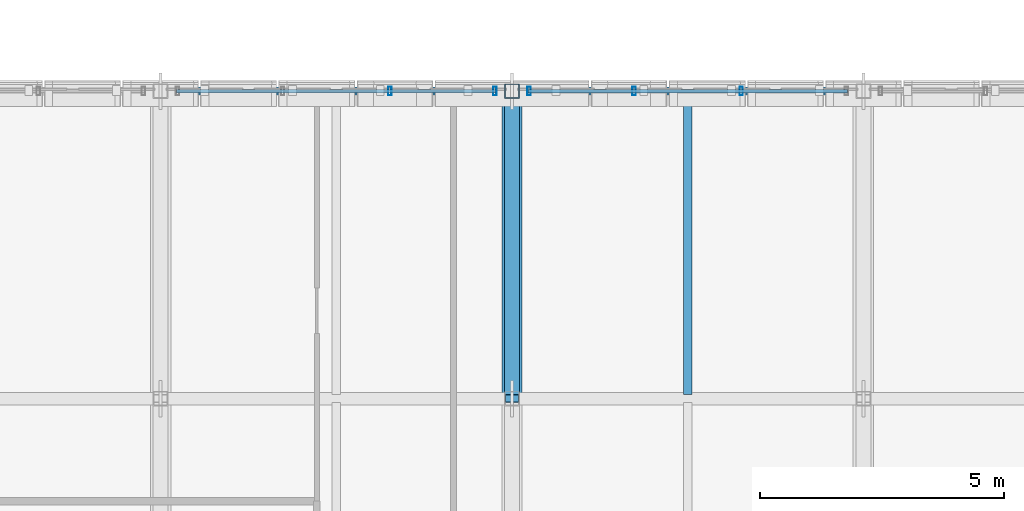
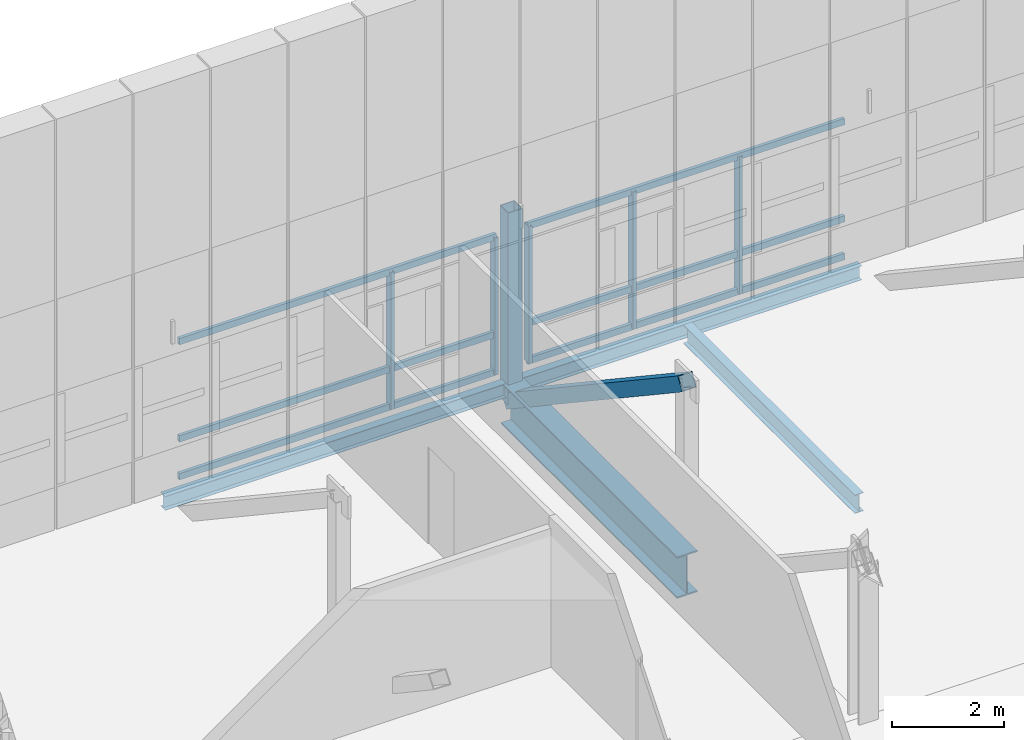
# One storey, part 33 of 144: 13 members, 4 beams, 2 elements without a shape of their own.
"""IFC4 building model written with IfcOpenShell, lengths in metres."""

from ifc_helpers import new_model, si_unit, direction, frame, origin, origin_2d, place, context, subcontext, project, spatial, hollow_rectangle, i_section, extrude, material, material_profile, profile_set, type_object, element, aggregate, save


model = new_model("IFC4")

# Units and contexts
model_context = context("Model", 3, precision=1e-05, world=origin(), true_north=direction((0.0, 1.0)))
body_context = subcontext(model_context, "Body", "Model", "MODEL_VIEW")
ifc_project = project(units=[si_unit("LENGTHUNIT", "METRE"), si_unit("AREAUNIT", "SQUARE_METRE"), si_unit("VOLUMEUNIT", "CUBIC_METRE"), si_unit("PLANEANGLEUNIT", "RADIAN"), si_unit("MASSUNIT", "GRAM", prefix="KILO")], contexts=[model_context])

# Site, building, storey
site_placement = place(None, origin())
site = spatial("IfcSite", under=ifc_project, at=site_placement, CompositionType="ELEMENT")
building_placement = place(site_placement, origin())
building = spatial("IfcBuilding", under=site, at=building_placement, Name="Yarey Park Central Fire Station", CompositionType="ELEMENT")
storey_placement = place(building_placement, frame((0.0, 0.0, 10.199951171875)))
storey = spatial("IfcBuildingStorey", under=building, at=storey_placement, Name="L03", CompositionType="ELEMENT", Elevation=10.199951171875)

# Curtain wall, members
ifc_material_1 = material(Name="Anodized Aluminium Frame", Category="aluminium")
curtain_wall_type = type_object("IfcCurtainWallType", Name="ENV_CW_V3_OVR1", PredefinedType="NOTDEFINED", material=ifc_material_1)
curtain_wall_1_placement = place(storey_placement, origin())
curtain_wall_1 = element("IfcCurtainWall", 1, at=curtain_wall_1_placement, inside=storey, type_object=curtain_wall_type, Name="CW_L03_V3_N_044", PredefinedType="NOTDEFINED")
ifc_material_profile_1 = material_profile(ifc_material_1, hollow_rectangle(XDim=0.070068359375, YDim=0.179931640625, WallThickness=0.00390625, at=origin_2d()), Name="ALU 180x70x4")
ifc_profile_set_1 = profile_set([ifc_material_profile_1], Name="Anodized Aluminium Frame")
member_type_1 = type_object("IfcMemberType", Name="ENV_CW_MULLION", PredefinedType="MULLION", material=ifc_profile_set_1)
member_1_placement = place(storey_placement, frame((42.85009765625, 99.0, 0.0), z_axis=(0.0, 0.0, 1.0), x_axis=(1.0, 0.0, 0.0)))
member_1 = element("IfcMember", 2, at=member_1_placement, type_object=member_type_1, Name="CW_L03_V3_N_044_MUL1", PredefinedType="MULLION", context=body_context, shape_type="SweptSolid", body=[
    extrude(hollow_rectangle(XDim=0.070068359375, YDim=0.179931640625, WallThickness=0.00390625, at=origin_2d()), origin(), (0.0, 0.0, 1.0), 3.0),
])
member_2_placement = place(storey_placement, frame((40.69677734375, 99.0, 0.0), z_axis=(0.0, 0.0, 1.0), x_axis=(1.0, 0.0, 0.0)))
member_2 = element("IfcMember", 3, at=member_2_placement, type_object=member_type_1, Name="CW_L03_V3_N_044_MUL2", PredefinedType="MULLION", context=body_context, shape_type="SweptSolid", body=[
    extrude(hollow_rectangle(XDim=0.070068359375, YDim=0.179931640625, WallThickness=0.00390625, at=origin_2d()), origin(), (0.0, 0.0, 1.0), 3.0),
])

curtain_wall_2_placement = place(storey_placement, origin())
curtain_wall_2 = element("IfcCurtainWall", 4, at=curtain_wall_2_placement, inside=storey, type_object=curtain_wall_type, Name="CW_L03_V3_N_045", PredefinedType="NOTDEFINED")
member_3_placement = place(storey_placement, frame((47.896728515625, 99.0, 0.0), z_axis=(0.0, 0.0, 1.0), x_axis=(1.0, 0.0, 0.0)))
member_3 = element("IfcMember", 5, at=member_3_placement, type_object=member_type_1, Name="CW_L03_V3_N_045_MUL2", PredefinedType="MULLION", context=body_context, shape_type="SweptSolid", body=[
    extrude(hollow_rectangle(XDim=0.070068359375, YDim=0.179931640625, WallThickness=0.00390625, at=origin_2d()), origin(), (0.0, 0.0, 1.0), 3.0),
])
member_4_placement = place(storey_placement, frame((45.703369140625, 99.0, 0.0), z_axis=(0.0, 0.0, 1.0), x_axis=(1.0, 0.0, 0.0)))
member_4 = element("IfcMember", 6, at=member_4_placement, type_object=member_type_1, Name="CW_L03_V3_N_045_MUL3", PredefinedType="MULLION", context=body_context, shape_type="SweptSolid", body=[
    extrude(hollow_rectangle(XDim=0.070068359375, YDim=0.179931640625, WallThickness=0.00390625, at=origin_2d()), origin(), (0.0, 0.0, 1.0), 3.0),
])
member_5_placement = place(storey_placement, frame((43.550048828125, 99.0, 0.0), z_axis=(0.0, 0.0, 1.0), x_axis=(1.0, 0.0, 0.0)))
member_5 = element("IfcMember", 7, at=member_5_placement, type_object=member_type_1, Name="CW_L03_V3_N_045_MUL4", PredefinedType="MULLION", context=body_context, shape_type="SweptSolid", body=[
    extrude(hollow_rectangle(XDim=0.070068359375, YDim=0.179931640625, WallThickness=0.00390625, at=origin_2d()), origin(), (0.0, 0.0, 1.0), 3.0),
])

# Member
ifc_material_profile_2 = material_profile(ifc_material_1, hollow_rectangle(XDim=0.070068359375, YDim=0.139892578125, WallThickness=0.00390625, at=origin_2d()), Name="ALU 140x70x4")
ifc_profile_set_2 = profile_set([ifc_material_profile_2], Name="Anodized Aluminium Frame")
member_type_2 = type_object("IfcMemberType", Name="ENV_CW_TRANSOM", PredefinedType="USERDEFINED", material=ifc_profile_set_2)
member_6_placement = place(storey_placement, frame((42.875, 99.0, 0.025146484375), z_axis=(-1.0, 0.0, 0.0), x_axis=(0.0, -1.0, 0.0)))
member_6 = element("IfcMember", 8, at=member_6_placement, type_object=member_type_2, Name="CW_L03_V3_N_044_TRN1", ObjectType="TRANSOM", PredefinedType="USERDEFINED", context=body_context, shape_type="SweptSolid", body=[
    extrude(hollow_rectangle(XDim=0.070068359375, YDim=0.139892578125, WallThickness=0.00390625, at=origin_2d()), origin(), (0.0, 0.0, 1.0), 6.550048828125),
])

member_7_placement = place(storey_placement, frame((42.875, 99.0, 0.85009765625), z_axis=(-1.0, 0.0, 0.0), x_axis=(0.0, -1.0, 0.0)))
member_7 = element("IfcMember", 9, at=member_7_placement, type_object=member_type_2, Name="CW_L03_V3_N_044_TRN2", ObjectType="TRANSOM", PredefinedType="USERDEFINED", context=body_context, shape_type="SweptSolid", body=[
    extrude(hollow_rectangle(XDim=0.070068359375, YDim=0.139892578125, WallThickness=0.00390625, at=origin_2d()), origin(), (0.0, 0.0, 1.0), 6.550048828125),
])

member_8_placement = place(storey_placement, frame((42.875, 99.0, 2.97509765625), z_axis=(-1.0, 0.0, 0.0), x_axis=(0.0, -1.0, 0.0)))
member_8 = element("IfcMember", 10, at=member_8_placement, type_object=member_type_2, Name="CW_L03_V3_N_044_TRN3", ObjectType="TRANSOM", PredefinedType="USERDEFINED", context=body_context, shape_type="SweptSolid", body=[
    extrude(hollow_rectangle(XDim=0.070068359375, YDim=0.139892578125, WallThickness=0.00390625, at=origin_2d()), origin(), (0.0, 0.0, 1.0), 6.550048828125),
])

aggregate(curtain_wall_1, [member_1, member_2, member_6, member_7, member_8])

member_9_placement = place(storey_placement, frame((50.074951171875, 99.0, 0.025146484375), z_axis=(-1.0, 0.0, 0.0), x_axis=(0.0, -1.0, 0.0)))
member_9 = element("IfcMember", 11, at=member_9_placement, type_object=member_type_2, Name="CW_L03_V3_N_045_TRN1", ObjectType="TRANSOM", PredefinedType="USERDEFINED", context=body_context, shape_type="SweptSolid", body=[
    extrude(hollow_rectangle(XDim=0.070068359375, YDim=0.139892578125, WallThickness=0.00390625, at=origin_2d()), origin(), (0.0, 0.0, 1.0), 6.550048828125),
])

member_10_placement = place(storey_placement, frame((50.074951171875, 99.0, 0.85009765625), z_axis=(-1.0, 0.0, 0.0), x_axis=(0.0, -1.0, 0.0)))
member_10 = element("IfcMember", 12, at=member_10_placement, type_object=member_type_2, Name="CW_L03_V3_N_045_TRN2", ObjectType="TRANSOM", PredefinedType="USERDEFINED", context=body_context, shape_type="SweptSolid", body=[
    extrude(hollow_rectangle(XDim=0.070068359375, YDim=0.139892578125, WallThickness=0.00390625, at=origin_2d()), origin(), (0.0, 0.0, 1.0), 6.550048828125),
])

member_11_placement = place(storey_placement, frame((50.074951171875, 99.0, 2.97509765625), z_axis=(-1.0, 0.0, 0.0), x_axis=(0.0, -1.0, 0.0)))
member_11 = element("IfcMember", 13, at=member_11_placement, type_object=member_type_2, Name="CW_L03_V3_N_045_TRN3", ObjectType="TRANSOM", PredefinedType="USERDEFINED", context=body_context, shape_type="SweptSolid", body=[
    extrude(hollow_rectangle(XDim=0.070068359375, YDim=0.139892578125, WallThickness=0.00390625, at=origin_2d()), origin(), (0.0, 0.0, 1.0), 6.550048828125),
])

aggregate(curtain_wall_2, [member_3, member_4, member_5, member_9, member_10, member_11])

# Beams
ifc_material_2 = material(Name="Steel ASTM A992 Gr. 50", Category="steel")
ifc_material_profile_3 = material_profile(ifc_material_2, i_section(OverallWidth=0.41796875, OverallDepth=0.912109375, WebThickness=0.019287109375, FlangeThickness=0.031982421875, at=origin_2d()), Name="W920x342")
ifc_profile_set_3 = profile_set([ifc_material_profile_3], Name="Steel ASTM A992 Gr. 50")
beam_type_1 = type_object("IfcBeamType", Name="STR_BM_W920", PredefinedType="BEAM", material=ifc_profile_set_3)
beam_1_placement = place(storey_placement, frame((43.199951171875, 92.699951171875, -0.716064453125), z_axis=(0.0, 1.0, 0.0), x_axis=(-1.0, 0.0, 0.0)))
element("IfcBeam", 14, at=beam_1_placement, inside=storey, type_object=beam_type_1, Name="Transfer Truss TT3 L03 CH6", PredefinedType="BEAM", context=body_context, shape_type="SweptSolid", body=[
    extrude(i_section(OverallWidth=0.41796875, OverallDepth=0.912109375, WebThickness=0.019287109375, FlangeThickness=0.031982421875, at=origin_2d()), origin(), (0.0, 0.0, 1.0), 6.300048828125),
])
ifc_material_profile_4 = material_profile(ifc_material_2, i_section(OverallWidth=0.177978515625, OverallDepth=0.406982421875, WebThickness=0.0078125, FlangeThickness=0.0126953125, at=origin_2d()), Name="W410x60")
ifc_profile_set_4 = profile_set([ifc_material_profile_4], Name="Steel ASTM A992 Gr. 50")
beam_type_2 = type_object("IfcBeamType", Name="STR_JST_W410", PredefinedType="JOIST", material=ifc_profile_set_4)
beam_2_placement = place(storey_placement, frame((46.800048828125, 92.780029296875, -0.46337890625), z_axis=(0.0, 1.0, 0.0), x_axis=(-1.0, 0.0, 0.0)))
element("IfcBeam", 15, at=beam_2_placement, inside=storey, type_object=beam_type_2, Name="CANT JST L03 X468 Y927", PredefinedType="JOIST", context=body_context, shape_type="SweptSolid", body=[
    extrude(i_section(OverallWidth=0.177978515625, OverallDepth=0.406982421875, WebThickness=0.0078125, FlangeThickness=0.0126953125, at=origin_2d()), origin(), (0.0, 0.0, 1.0), 6.139892578125),
])

# Members
ifc_material_3 = material(Name="Steel ASTM A500 Gr. C", Category="steel")
ifc_material_profile_5 = material_profile(ifc_material_3, hollow_rectangle(XDim=0.300048828125, YDim=0.300048828125, WallThickness=0.01611328125, at=origin_2d()), Name="HSS 300x300x16")
ifc_profile_set_5 = profile_set([ifc_material_profile_5], Name="Steel ASTM A500 Gr. C")
member_type_3 = type_object("IfcMemberType", Name="STR_PRATT_HSS300", PredefinedType="BRACE", material=ifc_profile_set_5)
member_12_placement = place(storey_placement, frame((43.199951171875, 92.699951171875, 3.5), z_axis=(0.0, 0.832055254913, -0.55469275529), x_axis=(-1.0, 0.0, 0.0)))
element("IfcMember", 16, at=member_12_placement, inside=storey, type_object=member_type_3, Name="TT3_L03_DIAG6", PredefinedType="BRACE", context=body_context, shape_type="SweptSolid", body=[
    extrude(hollow_rectangle(XDim=0.300048828125, YDim=0.300048828125, WallThickness=0.01611328125, at=origin_2d()), origin(), (0.0, 0.0, 1.0), 7.57177734375),
])
ifc_material_profile_6 = material_profile(ifc_material_3, hollow_rectangle(XDim=0.300048828125, YDim=0.300048828125, WallThickness=0.01611328125, at=origin_2d()), Name="HSS 300x300x16")
ifc_profile_set_6 = profile_set([ifc_material_profile_6], Name="Steel ASTM A500 Gr. C")
member_type_4 = type_object("IfcMemberType", Name="STR_PRATT_HSS300E", PredefinedType="BRACE", material=ifc_profile_set_6)
member_13_placement = place(storey_placement, frame((43.199951171875, 99.0, -0.699951171875), z_axis=(0.0, 0.0, 1.0), x_axis=(1.0, 0.0, 0.0)))
element("IfcMember", 17, at=member_13_placement, inside=storey, type_object=member_type_4, Name="TT3_L03_POST_990", PredefinedType="BRACE", context=body_context, shape_type="SweptSolid", body=[
    extrude(hollow_rectangle(XDim=0.300048828125, YDim=0.300048828125, WallThickness=0.01611328125, at=origin_2d()), origin(), (0.0, 0.0, 1.0), 4.199951171875),
])

# Beams
ifc_material_profile_7 = material_profile(ifc_material_2, i_section(OverallWidth=0.1650390625, OverallDepth=0.31005859375, WebThickness=0.005859375, FlangeThickness=0.009765625, at=origin_2d()), Name="W310x39")
ifc_profile_set_7 = profile_set([ifc_material_profile_7], Name="Steel ASTM A992 Gr. 50")
beam_type_3 = type_object("IfcBeamType", Name="STR_SPN_W310", PredefinedType="SPANDREL", material=ifc_profile_set_7)
for number, where, z_axis, x_axis, name in (
    (18, (36.0, 99.0, -0.4150390625), (1.0, 0.0, 0.0), (0.0, 1.0, 0.0), "CANT TIE L03 Y990 X36"),
    (19, (43.199951171875, 99.0, -0.4150390625), (1.0, 0.0, 0.0), (0.0, 1.0, 0.0), "CANT TIE L03 Y990 X43"),
):
    element("IfcBeam", number, at=place(storey_placement, frame(where, z_axis=z_axis, x_axis=x_axis)), inside=storey, type_object=beam_type_3, Name=name, PredefinedType="SPANDREL", context=body_context, shape_type="SweptSolid", body=[
        extrude(i_section(OverallWidth=0.1650390625, OverallDepth=0.31005859375, WebThickness=0.005859375, FlangeThickness=0.009765625, at=origin_2d()), origin(), (0.0, 0.0, 1.0), 7.199951171875),
    ])

save(model, "model.ifc")
